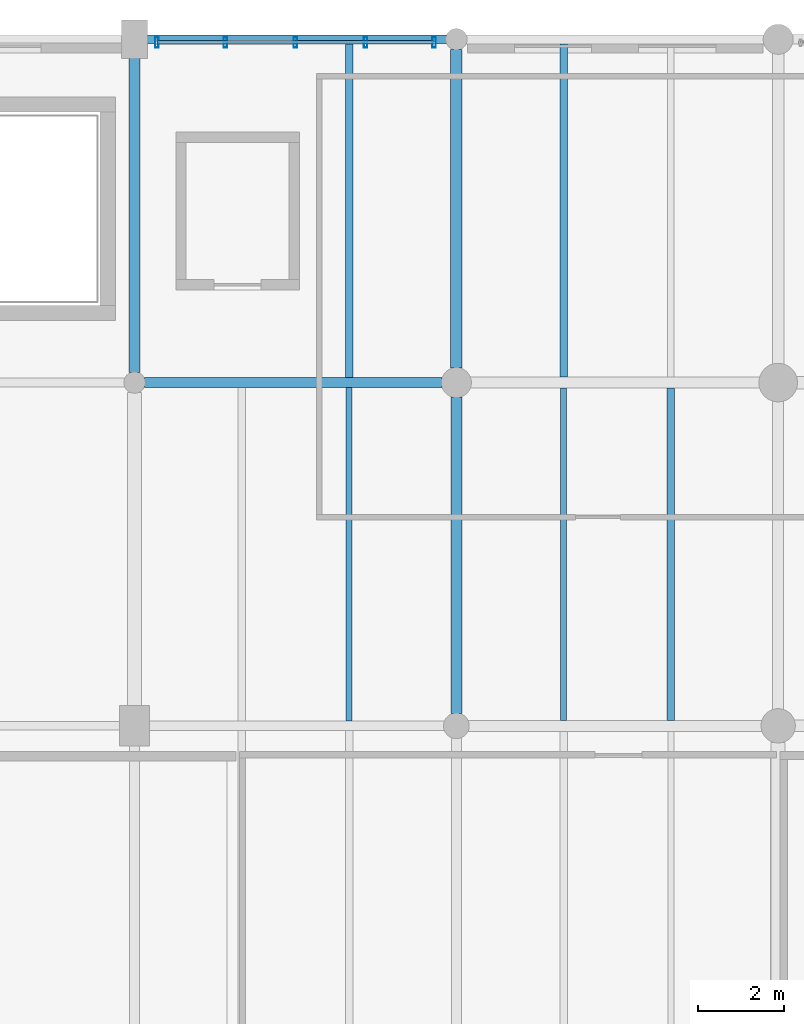
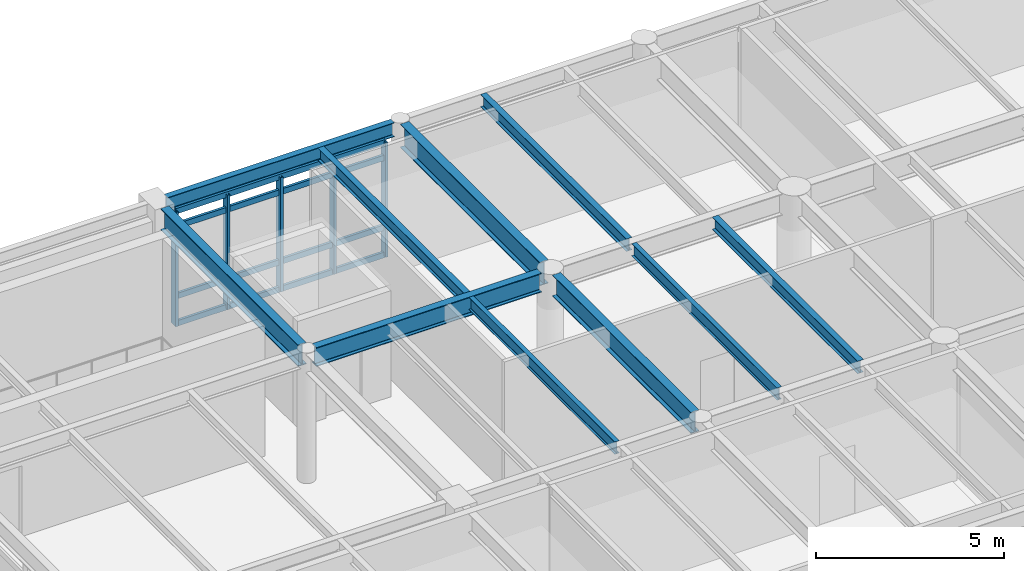
# One storey, part 79 of 168: 10 beams, 9 members, 1 element without a shape of its own.
"""IFC4 building model written with IfcOpenShell, lengths in metres."""

from ifc_helpers import new_model, si_unit, direction, frame, origin, origin_2d, place, context, subcontext, project, spatial, hollow_rectangle, i_section, extrude, material, material_profile, profile_set, type_object, element, aggregate, save


model = new_model("IFC4")

# Units and contexts
model_context = context("Model", 3, precision=1e-05, world=origin(), true_north=direction((0.0, 1.0)))
body_context = subcontext(model_context, "Body", "Model", "MODEL_VIEW")
ifc_project = project(units=[si_unit("LENGTHUNIT", "METRE"), si_unit("AREAUNIT", "SQUARE_METRE"), si_unit("VOLUMEUNIT", "CUBIC_METRE"), si_unit("PLANEANGLEUNIT", "RADIAN"), si_unit("MASSUNIT", "GRAM", prefix="KILO"), si_unit("THERMODYNAMICTEMPERATUREUNIT", "KELVIN"), si_unit("POWERUNIT", "WATT")], contexts=[model_context])

# Site, building, storey
site_placement = place(None, origin())
site = spatial("IfcSite", under=ifc_project, at=site_placement, CompositionType="ELEMENT")
building_placement = place(site_placement, origin())
building = spatial("IfcBuilding", under=site, at=building_placement, Name="Tepalcoro Natatorium and Aquatics Centre", CompositionType="ELEMENT")
storey_placement = place(building_placement, frame((0.0, 0.0, 10.199951171875)))
storey = spatial("IfcBuildingStorey", under=building, at=storey_placement, Name="L02", CompositionType="ELEMENT", Elevation=10.199951171875)

# Beams
ifc_material_1 = material(Name="Steel ASTM A992 Grade 50 (Fy 345 MPa)", Category="steel")
ifc_material_profile_1 = material_profile(ifc_material_1, i_section(OverallWidth=0.22998046875, OverallDepth=0.616943359375, WebThickness=0.012939453125, FlangeThickness=0.02197265625, FilletRadius=0.013916015625, at=origin_2d()), Name="W24X94")
ifc_profile_set_1 = profile_set([ifc_material_profile_1], Name="Steel ASTM A992 Grade 50 (Fy 345 MPa)")
beam_type_1 = type_object("IfcBeamType", Name="BM_W24x94", PredefinedType="BEAM", material=ifc_profile_set_1)
beam_1_placement = place(storey_placement, frame((21.235107421875, 110.0, 3.926513671875), z_axis=(1.0, 0.0, 0.0), x_axis=(0.0, 1.0, 0.0)))
element("IfcBeam", 1, at=beam_1_placement, inside=storey, type_object=beam_type_1, Name="V4 L02 Grid Girder X", PredefinedType="BEAM", context=body_context, shape_type="SweptSolid", body=[
    extrude(i_section(OverallWidth=0.22998046875, OverallDepth=0.616943359375, WebThickness=0.012939453125, FlangeThickness=0.02197265625, FilletRadius=0.013916015625, at=origin_2d()), origin(), (0.0, 0.0, 1.0), 6.929931640625),
])
ifc_material_profile_2 = material_profile(ifc_material_1, i_section(OverallWidth=0.25390625, OverallDepth=0.68798828125, WebThickness=0.012939453125, FlangeThickness=0.02099609375, FilletRadius=0.013916015625, at=origin_2d()), Name="W27X102")
ifc_profile_set_2 = profile_set([ifc_material_profile_2], Name="Steel ASTM A992 Grade 50 (Fy 345 MPa)")
beam_type_2 = type_object("IfcBeamType", Name="BM_W27x102", PredefinedType="BEAM", material=ifc_profile_set_2)
beam_2_placement = place(storey_placement, frame((28.5, 102.284912109375, 3.89111328125), z_axis=(0.0, 1.0, 0.0), x_axis=(-1.0, 0.0, 0.0)))
element("IfcBeam", 2, at=beam_2_placement, inside=storey, type_object=beam_type_2, Name="V4 L02 Grid Girder Y", PredefinedType="BEAM", context=body_context, shape_type="SweptSolid", body=[
    extrude(i_section(OverallWidth=0.25390625, OverallDepth=0.68798828125, WebThickness=0.012939453125, FlangeThickness=0.02099609375, FilletRadius=0.013916015625, at=origin_2d()), origin(), (0.0, 0.0, 1.0), 7.380126953125),
])
ifc_material_profile_3 = material_profile(ifc_material_1, i_section(OverallWidth=0.25390625, OverallDepth=0.700927734375, WebThickness=0.014892578125, FlangeThickness=0.028076171875, FilletRadius=0.013916015625, at=origin_2d()), Name="W27X129")
ifc_profile_set_3 = profile_set([ifc_material_profile_3], Name="Steel ASTM A992 Grade 50 (Fy 345 MPa)")
beam_type_3 = type_object("IfcBeamType", Name="BM_W27x129", PredefinedType="BEAM", material=ifc_profile_set_3)
beam_3_placement = place(storey_placement, frame((21.0, 110.235107421875, 3.884521484375), z_axis=(0.0, 1.0, 0.0), x_axis=(-1.0, 0.0, 0.0)))
element("IfcBeam", 3, at=beam_3_placement, inside=storey, type_object=beam_type_3, Name="V4 L02 Grid Girder Y", PredefinedType="BEAM", context=body_context, shape_type="SweptSolid", body=[
    extrude(i_section(OverallWidth=0.25390625, OverallDepth=0.700927734375, WebThickness=0.014892578125, FlangeThickness=0.028076171875, FilletRadius=0.013916015625, at=origin_2d()), origin(), (0.0, 0.0, 1.0), 7.329833984375),
])
ifc_material_profile_4 = material_profile(ifc_material_1, i_section(OverallWidth=0.26708984375, OverallDepth=0.761962890625, WebThickness=0.013916015625, FlangeThickness=0.02197265625, FilletRadius=0.013916015625, at=origin_2d()), Name="W30X116")
ifc_profile_set_4 = profile_set([ifc_material_profile_4], Name="Steel ASTM A992 Grade 50 (Fy 345 MPa)")
beam_type_4 = type_object("IfcBeamType", Name="BM_W30x116", PredefinedType="BEAM", material=ifc_profile_set_4)
beam_4_placement = place(storey_placement, frame((28.5, 110.3349609375, 3.85400390625), z_axis=(0.0, 1.0, 0.0), x_axis=(-1.0, 0.0, 0.0)))
element("IfcBeam", 4, at=beam_4_placement, inside=storey, type_object=beam_type_4, Name="V4 L02 Grid Girder Y", PredefinedType="BEAM", context=body_context, shape_type="SweptSolid", body=[
    extrude(i_section(OverallWidth=0.26708984375, OverallDepth=0.761962890625, WebThickness=0.013916015625, FlangeThickness=0.02197265625, FilletRadius=0.013916015625, at=origin_2d()), origin(), (0.0, 0.0, 1.0), 7.429931640625),
])

# Curtain wall, members
ifc_material_2 = material(Name="Bronze-Anodised Extruded Aluminium Alloy EN AW-6063 T6", Category="aluminium")
curtain_wall_type = type_object("IfcCurtainWallType", Name="CW_LEAN_T1_EW", PredefinedType="USERDEFINED", material=ifc_material_2)
curtain_wall_placement = place(storey_placement, origin())
curtain_wall = element("IfcCurtainWall", 5, at=curtain_wall_placement, inside=storey, type_object=curtain_wall_type, Name="V4 L02 N Unitised Curtain Wall Bay 2", ObjectType="FACETED SOLAR GLAZING", PredefinedType="USERDEFINED")
ifc_material_profile_5 = material_profile(ifc_material_2, hollow_rectangle(XDim=0.080078125, YDim=0.239990234375, WallThickness=0.0048828125, at=origin_2d()), Name="AL80X240X5")
ifc_profile_set_5 = profile_set([ifc_material_profile_5], Name="Bronze-Anodised Extruded Aluminium Alloy EN AW-6063 T6")
member_type_1 = type_object("IfcMemberType", Name="CW_MUL_80x240", PredefinedType="MULLION", material=ifc_profile_set_5)
member_1_placement = place(storey_placement, frame((21.52001953125, 117.9287109375, 0.02001953125), z_axis=(0.0, 0.0, 1.0), x_axis=(1.0, 0.0, 0.0)))
member_1 = element("IfcMember", 6, at=member_1_placement, type_object=member_type_1, Name="CW_LEAN_T1_EW Curtain Wall Mullion", PredefinedType="MULLION", context=body_context, shape_type="SweptSolid", body=[
    extrude(hollow_rectangle(XDim=0.080078125, YDim=0.239990234375, WallThickness=0.0048828125, at=origin_2d()), origin(), (0.0, 0.0, 1.0), 3.719970703125),
])
member_2_placement = place(storey_placement, frame((23.114990234375, 117.9287109375, 0.02001953125), z_axis=(0.0, 0.0, 1.0), x_axis=(1.0, 0.0, 0.0)))
member_2 = element("IfcMember", 7, at=member_2_placement, type_object=member_type_1, Name="CW_LEAN_T1_EW Curtain Wall Mullion", PredefinedType="MULLION", context=body_context, shape_type="SweptSolid", body=[
    extrude(hollow_rectangle(XDim=0.080078125, YDim=0.239990234375, WallThickness=0.0048828125, at=origin_2d()), origin(), (0.0, 0.0, 1.0), 3.719970703125),
])
member_3_placement = place(storey_placement, frame((24.75, 117.9287109375, 0.02001953125), z_axis=(0.0, 0.0, 1.0), x_axis=(1.0, 0.0, 0.0)))
member_3 = element("IfcMember", 8, at=member_3_placement, type_object=member_type_1, Name="CW_LEAN_T1_EW Curtain Wall Mullion", PredefinedType="MULLION", context=body_context, shape_type="SweptSolid", body=[
    extrude(hollow_rectangle(XDim=0.080078125, YDim=0.239990234375, WallThickness=0.0048828125, at=origin_2d()), origin(), (0.0, 0.0, 1.0), 3.719970703125),
])
member_4_placement = place(storey_placement, frame((26.385009765625, 117.9287109375, 0.02001953125), z_axis=(0.0, 0.0, 1.0), x_axis=(1.0, 0.0, 0.0)))
member_4 = element("IfcMember", 9, at=member_4_placement, type_object=member_type_1, Name="CW_LEAN_T1_EW Curtain Wall Mullion", PredefinedType="MULLION", context=body_context, shape_type="SweptSolid", body=[
    extrude(hollow_rectangle(XDim=0.080078125, YDim=0.239990234375, WallThickness=0.0048828125, at=origin_2d()), origin(), (0.0, 0.0, 1.0), 3.719970703125),
])
member_5_placement = place(storey_placement, frame((27.97998046875, 117.9287109375, 0.02001953125), z_axis=(0.0, 0.0, 1.0), x_axis=(1.0, 0.0, 0.0)))
member_5 = element("IfcMember", 10, at=member_5_placement, type_object=member_type_1, Name="CW_LEAN_T1_EW Curtain Wall Mullion", PredefinedType="MULLION", context=body_context, shape_type="SweptSolid", body=[
    extrude(hollow_rectangle(XDim=0.080078125, YDim=0.239990234375, WallThickness=0.0048828125, at=origin_2d()), origin(), (0.0, 0.0, 1.0), 3.719970703125),
])
ifc_material_profile_6 = material_profile(ifc_material_2, hollow_rectangle(XDim=0.080078125, YDim=0.179931640625, WallThickness=0.0048828125, at=origin_2d()), Name="AL80X180X5")
ifc_profile_set_6 = profile_set([ifc_material_profile_6], Name="Bronze-Anodised Extruded Aluminium Alloy EN AW-6063 T6")
member_type_2 = type_object("IfcMemberType", Name="CW_TRN_80x180", PredefinedType="USERDEFINED", material=ifc_profile_set_6)
member_6_placement = place(storey_placement, frame((21.530029296875, 117.9287109375, 0.050048828125), z_axis=(1.0, 0.0, 0.0), x_axis=(0.0, 1.0, 0.0)))
member_6 = element("IfcMember", 11, at=member_6_placement, type_object=member_type_2, Name="CW_LEAN_T1_EW Curtain Wall Transom", ObjectType="TRANSOM", PredefinedType="USERDEFINED", context=body_context, shape_type="SweptSolid", body=[
    extrude(hollow_rectangle(XDim=0.080078125, YDim=0.179931640625, WallThickness=0.0048828125, at=origin_2d()), origin(), (0.0, 0.0, 1.0), 6.43994140625),
])
member_7_placement = place(storey_placement, frame((21.530029296875, 117.9287109375, 0.93994140625), z_axis=(1.0, 0.0, 0.0), x_axis=(0.0, 1.0, 0.0)))
member_7 = element("IfcMember", 12, at=member_7_placement, type_object=member_type_2, Name="CW_LEAN_T1_EW Curtain Wall Transom", ObjectType="TRANSOM", PredefinedType="USERDEFINED", context=body_context, shape_type="SweptSolid", body=[
    extrude(hollow_rectangle(XDim=0.080078125, YDim=0.179931640625, WallThickness=0.0048828125, at=origin_2d()), origin(), (0.0, 0.0, 1.0), 6.43994140625),
])
member_8_placement = place(storey_placement, frame((21.530029296875, 117.9287109375, 3.2099609375), z_axis=(1.0, 0.0, 0.0), x_axis=(0.0, 1.0, 0.0)))
member_8 = element("IfcMember", 13, at=member_8_placement, type_object=member_type_2, Name="CW_LEAN_T1_EW Curtain Wall Transom", ObjectType="TRANSOM", PredefinedType="USERDEFINED", context=body_context, shape_type="SweptSolid", body=[
    extrude(hollow_rectangle(XDim=0.080078125, YDim=0.179931640625, WallThickness=0.0048828125, at=origin_2d()), origin(), (0.0, 0.0, 1.0), 6.43994140625),
])
member_9_placement = place(storey_placement, frame((21.530029296875, 117.9287109375, 3.7099609375), z_axis=(1.0, 0.0, 0.0), x_axis=(0.0, 1.0, 0.0)))
member_9 = element("IfcMember", 14, at=member_9_placement, type_object=member_type_2, Name="CW_LEAN_T1_EW Curtain Wall Transom", ObjectType="TRANSOM", PredefinedType="USERDEFINED", context=body_context, shape_type="SweptSolid", body=[
    extrude(hollow_rectangle(XDim=0.080078125, YDim=0.179931640625, WallThickness=0.0048828125, at=origin_2d()), origin(), (0.0, 0.0, 1.0), 6.43994140625),
])
aggregate(curtain_wall, [member_1, member_2, member_3, member_4, member_5, member_6, member_7, member_8, member_9])

# Beams
ifc_material_profile_7 = material_profile(ifc_material_1, i_section(OverallWidth=0.139892578125, OverallDepth=0.404052734375, WebThickness=0.007080078125, FlangeThickness=0.010986328125, FilletRadius=0.013916015625, at=origin_2d()), Name="W16X31")
ifc_profile_set_7 = profile_set([ifc_material_profile_7], Name="Steel ASTM A992 Grade 50 (Fy 345 MPa)")
beam_type_5 = type_object("IfcBeamType", Name="JS_W16x31", PredefinedType="JOIST", material=ifc_profile_set_7)
beam_5_placement = place(storey_placement, frame((26.0, 102.114013671875, 4.032958984375), z_axis=(0.0, 1.0, 0.0), x_axis=(-1.0, 0.0, 0.0)))
element("IfcBeam", 15, at=beam_5_placement, inside=storey, type_object=beam_type_5, Name="V4 L02 Floor Joist", PredefinedType="JOIST", context=body_context, shape_type="SweptSolid", body=[
    extrude(i_section(OverallWidth=0.139892578125, OverallDepth=0.404052734375, WebThickness=0.007080078125, FlangeThickness=0.010986328125, FilletRadius=0.013916015625, at=origin_2d()), origin(), (0.0, 0.0, 1.0), 7.77099609375),
])
beam_6_placement = place(storey_placement, frame((31.0, 102.126953125, 4.032958984375), z_axis=(0.0, 1.0, 0.0), x_axis=(-1.0, 0.0, 0.0)))
element("IfcBeam", 16, at=beam_6_placement, inside=storey, type_object=beam_type_5, Name="V4 L02 Floor Joist", PredefinedType="JOIST", context=body_context, shape_type="SweptSolid", body=[
    extrude(i_section(OverallWidth=0.139892578125, OverallDepth=0.404052734375, WebThickness=0.007080078125, FlangeThickness=0.010986328125, FilletRadius=0.013916015625, at=origin_2d()), origin(), (0.0, 0.0, 1.0), 7.74609375),
])
ifc_material_profile_8 = material_profile(ifc_material_1, i_section(OverallWidth=0.178955078125, OverallDepth=0.409912109375, WebThickness=0.009033203125, FlangeThickness=0.013916015625, FilletRadius=0.013916015625, at=origin_2d()), Name="W16X45")
ifc_profile_set_8 = profile_set([ifc_material_profile_8], Name="Steel ASTM A992 Grade 50 (Fy 345 MPa)")
beam_type_6 = type_object("IfcBeamType", Name="JS_W16x45", PredefinedType="JOIST", material=ifc_profile_set_8)
beam_7_placement = place(storey_placement, frame((26.0, 110.114990234375, 4.030029296875), z_axis=(0.0, 1.0, 0.0), x_axis=(-1.0, 0.0, 0.0)))
element("IfcBeam", 17, at=beam_7_placement, inside=storey, type_object=beam_type_6, Name="V4 L02 Floor Joist", PredefinedType="JOIST", context=body_context, shape_type="SweptSolid", body=[
    extrude(i_section(OverallWidth=0.178955078125, OverallDepth=0.409912109375, WebThickness=0.009033203125, FlangeThickness=0.013916015625, FilletRadius=0.013916015625, at=origin_2d()), origin(), (0.0, 0.0, 1.0), 7.78955078125),
])
beam_8_placement = place(storey_placement, frame((33.5, 102.126953125, 4.030029296875), z_axis=(0.0, 1.0, 0.0), x_axis=(-1.0, 0.0, 0.0)))
element("IfcBeam", 18, at=beam_8_placement, inside=storey, type_object=beam_type_6, Name="V4 L02 Floor Joist", PredefinedType="JOIST", context=body_context, shape_type="SweptSolid", body=[
    extrude(i_section(OverallWidth=0.178955078125, OverallDepth=0.409912109375, WebThickness=0.009033203125, FlangeThickness=0.013916015625, FilletRadius=0.013916015625, at=origin_2d()), origin(), (0.0, 0.0, 1.0), 7.74609375),
])
beam_9_placement = place(storey_placement, frame((31.0, 110.126953125, 4.030029296875), z_axis=(0.0, 1.0, 0.0), x_axis=(-1.0, 0.0, 0.0)))
element("IfcBeam", 19, at=beam_9_placement, inside=storey, type_object=beam_type_6, Name="V4 L02 Floor Joist", PredefinedType="JOIST", context=body_context, shape_type="SweptSolid", body=[
    extrude(i_section(OverallWidth=0.178955078125, OverallDepth=0.409912109375, WebThickness=0.009033203125, FlangeThickness=0.013916015625, FilletRadius=0.013916015625, at=origin_2d()), origin(), (0.0, 0.0, 1.0), 7.76806640625),
])
ifc_material_profile_9 = material_profile(ifc_material_1, i_section(OverallWidth=0.19091796875, OverallDepth=0.4599609375, WebThickness=0.010009765625, FlangeThickness=0.01611328125, FilletRadius=0.013916015625, at=origin_2d()), Name="W18X55")
ifc_profile_set_9 = profile_set([ifc_material_profile_9], Name="Steel ASTM A992 Grade 50 (Fy 345 MPa)")
beam_type_7 = type_object("IfcBeamType", Name="SP_W18x55", PredefinedType="SPANDREL", material=ifc_profile_set_9)
beam_10_placement = place(storey_placement, frame((21.284912109375, 118.0, 4.005126953125), z_axis=(1.0, 0.0, 0.0), x_axis=(0.0, 1.0, 0.0)))
element("IfcBeam", 20, at=beam_10_placement, inside=storey, type_object=beam_type_7, Name="V4 L02 Grid Girder X", PredefinedType="SPANDREL", context=body_context, shape_type="SweptSolid", body=[
    extrude(i_section(OverallWidth=0.19091796875, OverallDepth=0.4599609375, WebThickness=0.010009765625, FlangeThickness=0.01611328125, FilletRadius=0.013916015625, at=origin_2d()), origin(), (0.0, 0.0, 1.0), 6.97998046875),
])

save(model, "model.ifc")
